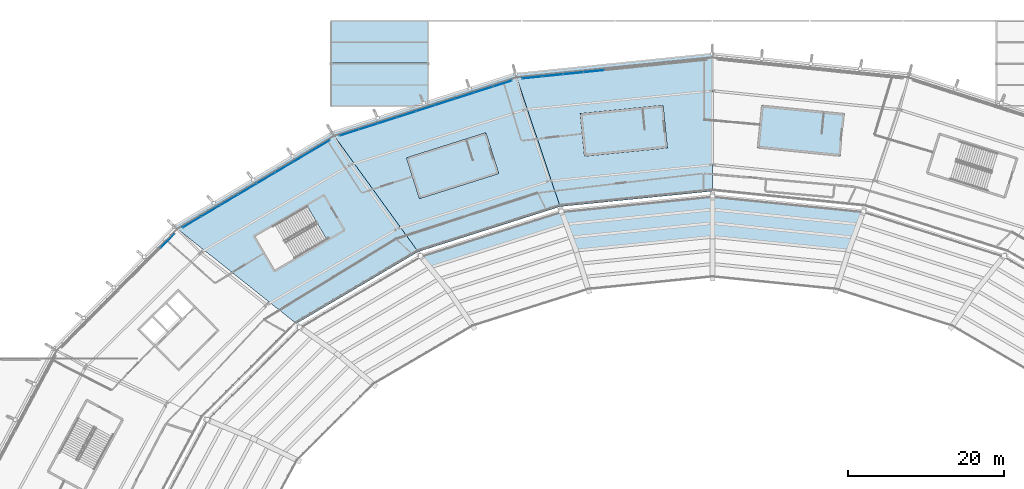
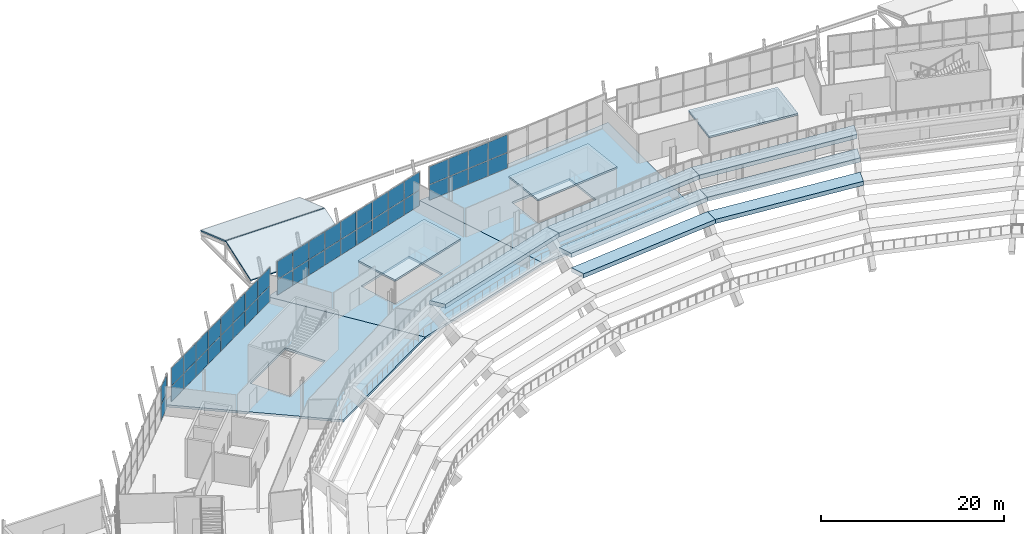
# One storey, part 70 of 126: 44 plates, 15 slabs, 5 elements without a shape of their own.
"""IFC4 building model written with IfcOpenShell, lengths in metres."""

from ifc_helpers import new_model, si_unit, direction, frame, origin, origin_2d, place, context, subcontext, project, spatial, polyline, rectangle, outline, extrude, material, layer, layer_set, type_object, element, aggregate, save


model = new_model("IFC4")

# Units and contexts
model_context = context("Model", 3, precision=1e-05, world=origin(), true_north=direction((0.0, 1.0)))
body_context = subcontext(model_context, "Body", "Model", "MODEL_VIEW")
ifc_project = project(units=[si_unit("LENGTHUNIT", "METRE"), si_unit("AREAUNIT", "SQUARE_METRE"), si_unit("VOLUMEUNIT", "CUBIC_METRE"), si_unit("PLANEANGLEUNIT", "RADIAN"), si_unit("MASSUNIT", "GRAM", prefix="KILO")], contexts=[model_context])

# Site, building, storey
site_placement = place(None, origin())
site = spatial("IfcSite", under=ifc_project, at=site_placement, CompositionType="ELEMENT")
building_placement = place(site_placement, origin())
building = spatial("IfcBuilding", under=site, at=building_placement, Name="Zlatoyarsky Gate Stadium", CompositionType="ELEMENT")
storey_placement = place(building_placement, frame((0.0, 0.0, 20.800048828125)))
storey = spatial("IfcBuildingStorey", under=building, at=storey_placement, Name="L04", CompositionType="ELEMENT", Elevation=20.800048828125)

# Curtain wall, plates
ifc_material_1 = material(Name="Thermally broken anodised aluminium curtain wall", Category="aluminium")
curtain_wall_type_1 = type_object("IfcCurtainWallType", Name="MONUMENTAL ARCHED GATE GLAZING LOWER", PredefinedType="USERDEFINED", material=ifc_material_1)
curtain_wall_1_placement = place(storey_placement, origin())
curtain_wall_1 = element("IfcCurtainWall", 1, at=curtain_wall_1_placement, inside=storey, type_object=curtain_wall_type_1, Name="Curtain wall CW-L04-06", ObjectType="ARCHED GATE GLAZING", PredefinedType="USERDEFINED")
ifc_material_2 = material(Name="Triple-glazed argon low-e architectural glass", Category="glass")
ifc_layer_1 = layer(ifc_material_2, 0.0458984375)
ifc_layer_set_1 = layer_set([ifc_layer_1], Name="Triple-glazed argon low-e architectural glass")
plate_type_1 = type_object("IfcPlateType", Name="ACOUSTIC LAMINATED GATE GLAZING PANEL 46", PredefinedType="CURTAIN_PANEL", material=ifc_layer_set_1)
plate_1_placement = place(storey_placement, frame((95.79052734375, 153.52099609375, 0.074951171875), z_axis=(0.0, 0.0, 1.0), x_axis=(-0.994856644007, -0.10129293102, 0.0)))
plate_1 = element("IfcPlate", 2, at=plate_1_placement, type_object=plate_type_1, Name="CW-AG1 panel 6.1", PredefinedType="CURTAIN_PANEL", context=body_context, shape_type="SweptSolid", body=[
    extrude(rectangle(XDim=2.58642578125, YDim=0.0458984375, at=origin_2d()), origin(), (0.0, 0.0, 1.0), 2.03759765625),
])
plate_2_placement = place(storey_placement, frame((95.79052734375, 153.52099609375, 2.1875), z_axis=(0.0, 0.0, 1.0), x_axis=(-0.994856644007, -0.10129293102, 0.0)))
plate_2 = element("IfcPlate", 3, at=plate_2_placement, type_object=plate_type_1, Name="CW-AG1 panel 6.2", PredefinedType="CURTAIN_PANEL", context=body_context, shape_type="SweptSolid", body=[
    extrude(rectangle(XDim=2.58642578125, YDim=0.0458984375, at=origin_2d()), origin(), (0.0, 0.0, 1.0), 2.357421875),
])
plate_3_placement = place(storey_placement, frame((93.142578125, 153.25146484375, 0.074951171875), z_axis=(0.0, 0.0, 1.0), x_axis=(-0.994856644007, -0.10129293102, 0.0)))
plate_3 = element("IfcPlate", 4, at=plate_3_placement, type_object=plate_type_1, Name="CW-AG1 panel 7.1", PredefinedType="CURTAIN_PANEL", context=body_context, shape_type="SweptSolid", body=[
    extrude(rectangle(XDim=2.58642578125, YDim=0.0458984375, at=origin_2d()), origin(), (0.0, 0.0, 1.0), 2.03759765625),
])
plate_4_placement = place(storey_placement, frame((93.142578125, 153.25146484375, 2.1875), z_axis=(0.0, 0.0, 1.0), x_axis=(-0.994856644007, -0.10129293102, 0.0)))
plate_4 = element("IfcPlate", 5, at=plate_4_placement, type_object=plate_type_1, Name="CW-AG1 panel 7.2", PredefinedType="CURTAIN_PANEL", context=body_context, shape_type="SweptSolid", body=[
    extrude(rectangle(XDim=2.58642578125, YDim=0.0458984375, at=origin_2d()), origin(), (0.0, 0.0, 1.0), 2.357421875),
])
plate_5_placement = place(storey_placement, frame((90.494873046875, 152.98193359375, 0.074951171875), z_axis=(0.0, 0.0, 1.0), x_axis=(-0.994856644007, -0.10129293102, 0.0)))
plate_5 = element("IfcPlate", 6, at=plate_5_placement, type_object=plate_type_1, Name="CW-AG1 panel 8.1", PredefinedType="CURTAIN_PANEL", context=body_context, shape_type="SweptSolid", body=[
    extrude(rectangle(XDim=2.58642578125, YDim=0.0458984375, at=origin_2d()), origin(), (0.0, 0.0, 1.0), 2.03759765625),
])
plate_6_placement = place(storey_placement, frame((90.494873046875, 152.98193359375, 2.1875), z_axis=(0.0, 0.0, 1.0), x_axis=(-0.994856644007, -0.10129293102, 0.0)))
plate_6 = element("IfcPlate", 7, at=plate_6_placement, type_object=plate_type_1, Name="CW-AG1 panel 8.2", PredefinedType="CURTAIN_PANEL", context=body_context, shape_type="SweptSolid", body=[
    extrude(rectangle(XDim=2.58642578125, YDim=0.0458984375, at=origin_2d()), origin(), (0.0, 0.0, 1.0), 2.357421875),
])
plate_7_placement = place(storey_placement, frame((87.86572265625, 152.714111328125, 0.074951171875), z_axis=(0.0, 0.0, 1.0), x_axis=(-0.994856644007, -0.10129293102, 0.0)))
plate_7 = element("IfcPlate", 8, at=plate_7_placement, type_object=plate_type_1, Name="CW-AG1 panel 9.1", PredefinedType="CURTAIN_PANEL", context=body_context, shape_type="SweptSolid", body=[
    extrude(rectangle(XDim=2.549072265625, YDim=0.0458984375, at=origin_2d()), origin(), (0.0, 0.0, 1.0), 2.03759765625),
])
plate_8_placement = place(storey_placement, frame((87.86572265625, 152.714111328125, 2.1875), z_axis=(0.0, 0.0, 1.0), x_axis=(-0.994856644007, -0.10129293102, 0.0)))
plate_8 = element("IfcPlate", 9, at=plate_8_placement, type_object=plate_type_1, Name="CW-AG1 panel 9.2", PredefinedType="CURTAIN_PANEL", context=body_context, shape_type="SweptSolid", body=[
    extrude(rectangle(XDim=2.549072265625, YDim=0.0458984375, at=origin_2d()), origin(), (0.0, 0.0, 1.0), 2.357421875),
])
aggregate(curtain_wall_1, [plate_1, plate_2, plate_3, plate_4, plate_5, plate_6, plate_7, plate_8])

# Roof, slabs
ifc_material_3 = material(Name="Standing-seam aluminium-zinc roofing with mineral wool insulation", Category="aluminium")
ifc_layer_2 = layer(ifc_material_3, 0.080078125)
ifc_layer_set_2 = layer_set([ifc_layer_2], Name="Standing-seam aluminium-zinc roofing with mineral wool insulation")
roof_type = type_object("IfcRoofType", Name="STADIUM BARREL VAULT ROOF ASSEMBLY", PredefinedType="BARREL_ROOF", material=ifc_layer_set_2)
roof_placement = place(storey_placement, origin())
roof = element("IfcRoof", 10, at=roof_placement, inside=storey, type_object=roof_type, Name="V2_NORTH_W barrel roof", PredefinedType="BARREL_ROOF")
ifc_material_4 = material(Name="Concrete C40/50", Category="concrete")
ifc_layer_3 = layer(ifc_material_4, 0.179931640625)
ifc_layer_set_3 = layer_set([ifc_layer_3], Name="Concrete C40/50")
slab_type_1 = type_object("IfcSlabType", Name="COMPOSITE PAVILION ROOF SLAB 180", PredefinedType="ROOF", material=ifc_layer_set_3)
slab_1_placement = place(storey_placement, frame((62.0, 149.0, 0.199951171875), z_axis=(0.0, -0.329578946053, 0.94412802009), x_axis=(1.0, 0.0, 0.0)))
slab_1 = element("IfcSlab", 11, at=slab_1_placement, type_object=slab_type_1, Name="V2_NORTH_W sloped roof slab 1", PredefinedType="ROOF", context=body_context, shape_type="SweptSolid", body=[
    extrude(outline(polyline([(0.0, 0.0), (12.5, 0.0), (12.5, 5.7520420397895435), (0.0, 5.7520420397895435), (0.0, 0.0)])), origin(), (0.0, 0.0, -1.0), 0.179931640625),
])
slab_2_placement = place(storey_placement, frame((74.5, 160.0, 0.199951171875), z_axis=(0.0, 0.329578946053, 0.94412802009), x_axis=(-1.0, 0.0, 0.0)))
slab_2 = element("IfcSlab", 12, at=slab_2_placement, type_object=slab_type_1, Name="V2_NORTH_W sloped roof slab 2", PredefinedType="ROOF", context=body_context, shape_type="SweptSolid", body=[
    extrude(outline(polyline([(0.0, 0.0), (12.5, 0.0), (12.5, 5.7520420397895435), (0.0, 5.7520420397895435), (0.0, 0.0)])), origin(), (0.0, 0.0, -1.0), 0.179931640625),
])
aggregate(roof, [slab_1, slab_2])

# Slabs
ifc_layer_4 = layer(ifc_material_4, 0.300048828125)
ifc_layer_set_4 = layer_set([ifc_layer_4], Name="Concrete C40/50")
slab_type_2 = type_object("IfcSlabType", Name="CONCRETE CONCOURSE SLAB 300", PredefinedType="FLOOR", material=ifc_layer_set_4)
slab_3_placement = place(storey_placement, frame((0.0, 0.0, -0.300048828125)))
element("IfcSlab", 13, at=slab_3_placement, inside=storey, type_object=slab_type_2, Name="L04 bowl sector 06 slab", PredefinedType="FLOOR", context=body_context, shape_type="SweptSolid", body=[
    extrude(outline(polyline([(91.433349609375, 136.120361328125), (85.6953125, 153.187744140625), (111.0, 155.76953125), (111.0, 138.10009765625), (91.433349609375, 136.120361328125)]), holes=[polyline([(102.00390625, 148.620849609375), (94.292724609375, 147.845703125), (94.792724609375, 142.870849609375), (102.50390625, 143.64599609375), (102.00390625, 148.620849609375)])]), origin(), (0.0, 0.0, 1.0), 0.300048828125),
])
slab_4_placement = place(storey_placement, frame((0.0, 0.0, -0.300048828125)))
element("IfcSlab", 14, at=slab_4_placement, inside=storey, type_object=slab_type_2, Name="L04 bowl sector 07 slab", PredefinedType="FLOOR", context=body_context, shape_type="SweptSolid", body=[
    extrude(outline(polyline([(73.199951171875, 130.316162109375), (62.115234375, 145.618408203125), (85.6953125, 153.187744140625), (91.433349609375, 136.120361328125), (73.199951171875, 130.316162109375)]), holes=[polyline([(79.39990234375, 144.562255859375), (72.0107421875, 142.2255859375), (73.518310546875, 137.458251953125), (80.90771484375, 139.794921875), (79.39990234375, 144.562255859375)])]), origin(), (0.0, 0.0, 1.0), 0.300048828125),
])
slab_5_placement = place(storey_placement, frame((0.0, 0.0, -0.300048828125)))
element("IfcSlab", 15, at=slab_5_placement, inside=storey, type_object=slab_type_2, Name="L04 bowl sector 08 slab", PredefinedType="FLOOR", context=body_context, shape_type="SweptSolid", body=[
    extrude(outline(polyline([(57.542724609375, 121.0830078125), (41.866455078125, 133.5771484375), (62.115234375, 145.618408203125), (73.199951171875, 130.316162109375), (57.542724609375, 121.0830078125)]), holes=[polyline([(58.934326171875, 136.204345703125), (52.247314453125, 132.287109375), (54.774658203125, 127.972900390625), (61.461669921875, 131.89013671875), (58.934326171875, 136.204345703125)])]), origin(), (0.0, 0.0, 1.0), 0.300048828125),
])
ifc_layer_5 = layer(ifc_material_4, 0.239990234375)
ifc_layer_set_5 = layer_set([ifc_layer_5], Name="Concrete C40/50")
slab_type_3 = type_object("IfcSlabType", Name="CONCRETE CORE TOP CAP SLAB 240", PredefinedType="ROOF", material=ifc_layer_set_5)
slab_6_placement = place(storey_placement, frame((0.0, 0.0, 3.199951171875)))
element("IfcSlab", 16, at=slab_6_placement, inside=storey, type_object=slab_type_3, Name="ST-04 stair headhouse roof cap", PredefinedType="ROOF", context=body_context, shape_type="SweptSolid", body=[
    extrude(outline(polyline([(104.665283203125, 149.1396484375), (94.01904296875, 148.069580078125), (94.569091796875, 142.59716796875), (105.21533203125, 143.667236328125), (104.665283203125, 149.1396484375)])), origin(), (0.0, 0.0, 1.0), 0.239990234375),
])
slab_7_placement = place(storey_placement, frame((0.0, 0.0, 3.199951171875)))
element("IfcSlab", 17, at=slab_7_placement, inside=storey, type_object=slab_type_3, Name="ST-14 stair headhouse roof cap", PredefinedType="ROOF", context=body_context, shape_type="SweptSolid", body=[
    extrude(outline(polyline([(81.89892578125, 145.61474609375), (71.697021484375, 142.388427734375), (73.355224609375, 137.14453125), (83.557373046875, 140.37060546875), (81.89892578125, 145.61474609375)])), origin(), (0.0, 0.0, 1.0), 0.239990234375),
])
slab_8_placement = place(storey_placement, frame((0.0, 0.0, 3.199951171875)))
element("IfcSlab", 18, at=slab_8_placement, inside=storey, type_object=slab_type_3, Name="ST-17 stair headhouse roof cap", PredefinedType="ROOF", context=body_context, shape_type="SweptSolid", body=[
    extrude(outline(polyline([(127.98095703125, 148.069580078125), (117.334716796875, 149.1396484375), (116.78466796875, 143.667236328125), (127.430908203125, 142.59716796875), (127.98095703125, 148.069580078125)])), origin(), (0.0, 0.0, 1.0), 0.239990234375),
])
ifc_material_5 = material(Name="Precast concrete C40/50", Category="concrete")
ifc_layer_6 = layer(ifc_material_5, 0.56005859375)
ifc_layer_set_6 = layer_set([ifc_layer_6], Name="Precast concrete C40/50")
slab_type_4 = type_object("IfcSlabType", Name="PRECAST UPPER SEATING TIER UNIT 560", PredefinedType="USERDEFINED", material=ifc_layer_set_6)
slab_9_placement = place(storey_placement, frame((0.0, 0.0, 0.739990234375)))
element("IfcSlab", 19, at=slab_9_placement, inside=storey, type_object=slab_type_4, Name="Upper seating tier sector 05 row 4", ObjectType="SEATING TIER", PredefinedType="USERDEFINED", context=body_context, shape_type="SweptSolid", body=[
    extrude(outline(polyline([(128.664306640625, 130.469482421875), (129.24658203125, 132.159912109375), (111.0, 134.0), (111.0, 132.25), (128.664306640625, 130.469482421875)])), origin(), (0.0, 0.0, 1.0), 0.56005859375),
])
slab_10_placement = place(storey_placement, frame((0.0, 0.0, 2.639892578125)))
element("IfcSlab", 20, at=slab_10_placement, inside=storey, type_object=slab_type_4, Name="Upper seating tier sector 05 row 5", ObjectType="SEATING TIER", PredefinedType="USERDEFINED", context=body_context, shape_type="SweptSolid", body=[
    extrude(outline(polyline([(129.24658203125, 132.159912109375), (129.8291015625, 133.850341796875), (111.0, 135.75), (111.0, 134.0), (129.24658203125, 132.159912109375)])), origin(), (0.0, 0.0, 1.0), 0.56005859375),
])
slab_11_placement = place(storey_placement, frame((0.0, 0.0, 4.5400390625)))
element("IfcSlab", 21, at=slab_11_placement, inside=storey, type_object=slab_type_4, Name="Upper seating tier sector 05 row 6", ObjectType="SEATING TIER", PredefinedType="USERDEFINED", context=body_context, shape_type="SweptSolid", body=[
    extrude(outline(polyline([(129.8291015625, 133.850341796875), (130.411376953125, 135.540771484375), (111.0, 137.5), (111.0, 135.75), (129.8291015625, 133.850341796875)])), origin(), (0.0, 0.0, 1.0), 0.559814453125),
])
slab_12_placement = place(storey_placement, frame((0.0, 0.0, 0.739990234375)))
element("IfcSlab", 22, at=slab_12_placement, inside=storey, type_object=slab_type_4, Name="Upper seating tier sector 06 row 4", ObjectType="SEATING TIER", PredefinedType="USERDEFINED", context=body_context, shape_type="SweptSolid", body=[
    extrude(outline(polyline([(111.0, 132.25), (111.0, 134.0), (92.75341796875, 132.159912109375), (93.335693359375, 130.469482421875), (111.0, 132.25)])), origin(), (0.0, 0.0, 1.0), 0.56005859375),
])
slab_13_placement = place(storey_placement, frame((0.0, 0.0, 2.639892578125)))
element("IfcSlab", 23, at=slab_13_placement, inside=storey, type_object=slab_type_4, Name="Upper seating tier sector 06 row 5", ObjectType="SEATING TIER", PredefinedType="USERDEFINED", context=body_context, shape_type="SweptSolid", body=[
    extrude(outline(polyline([(111.0, 134.0), (111.0, 135.75), (92.1708984375, 133.850341796875), (92.75341796875, 132.159912109375), (111.0, 134.0)])), origin(), (0.0, 0.0, 1.0), 0.56005859375),
])
slab_14_placement = place(storey_placement, frame((0.0, 0.0, 4.5400390625)))
element("IfcSlab", 24, at=slab_14_placement, inside=storey, type_object=slab_type_4, Name="Upper seating tier sector 06 row 6", ObjectType="SEATING TIER", PredefinedType="USERDEFINED", context=body_context, shape_type="SweptSolid", body=[
    extrude(outline(polyline([(111.0, 135.75), (111.0, 137.5), (91.588623046875, 135.540771484375), (92.1708984375, 133.850341796875), (111.0, 135.75)])), origin(), (0.0, 0.0, 1.0), 0.559814453125),
])
slab_15_placement = place(storey_placement, frame((0.0, 0.0, 4.5400390625)))
element("IfcSlab", 25, at=slab_15_placement, inside=storey, type_object=slab_type_4, Name="Upper seating tier sector 07 row 6", ObjectType="SEATING TIER", PredefinedType="USERDEFINED", context=body_context, shape_type="SweptSolid", body=[
    extrude(outline(polyline([(92.1708984375, 133.850341796875), (91.588623046875, 135.540771484375), (73.5, 129.79638671875), (74.625, 128.281005859375), (92.1708984375, 133.850341796875)])), origin(), (0.0, 0.0, 1.0), 0.559814453125),
])

# Curtain wall, plates
curtain_wall_type_2 = type_object("IfcCurtainWallType", Name="UNITISED MEDIA RING GLAZING L04", PredefinedType="USERDEFINED", material=ifc_material_1)
curtain_wall_2_placement = place(storey_placement, origin())
curtain_wall_2 = element("IfcCurtainWall", 26, at=curtain_wall_2_placement, inside=storey, type_object=curtain_wall_type_2, Name="Curtain wall CW-L04-07", ObjectType="UNITISED GLAZING", PredefinedType="USERDEFINED")
ifc_layer_7 = layer(ifc_material_2, 0.0380859375)
ifc_layer_set_7 = layer_set([ifc_layer_7], Name="Triple-glazed argon low-e architectural glass")
plate_type_2 = type_object("IfcPlateType", Name="TRIPLE GLAZED LOW E CURTAIN PANEL 38", PredefinedType="CURTAIN_PANEL", material=ifc_layer_set_7)
plate_9_placement = place(storey_placement, frame((84.01025390625, 151.913818359375, 0.06494140625), z_axis=(0.0, 0.0, 1.0), x_axis=(-0.952331297298, -0.305065730928, 0.0)))
plate_9 = element("IfcPlate", 27, at=plate_9_placement, type_object=plate_type_2, Name="CW-UG4 panel 1.1", PredefinedType="CURTAIN_PANEL", context=body_context, shape_type="SweptSolid", body=[
    extrude(rectangle(XDim=2.489501953125, YDim=0.0380859375, at=origin_2d()), origin(), (0.0, 0.0, 1.0), 2.052490234375),
])
plate_10_placement = place(storey_placement, frame((84.01025390625, 151.913818359375, 2.182373046875), z_axis=(0.0, 0.0, 1.0), x_axis=(-0.952331297298, -0.305065730928, 0.0)))
plate_10 = element("IfcPlate", 28, at=plate_10_placement, type_object=plate_type_2, Name="CW-UG4 panel 1.2", PredefinedType="CURTAIN_PANEL", context=body_context, shape_type="SweptSolid", body=[
    extrude(rectangle(XDim=2.489501953125, YDim=0.0380859375, at=origin_2d()), origin(), (0.0, 0.0, 1.0), 2.37255859375),
])
plate_11_placement = place(storey_placement, frame((81.56201171875, 151.129638671875, 0.06494140625), z_axis=(0.0, 0.0, 1.0), x_axis=(-0.952331297298, -0.305065730928, 0.0)))
plate_11 = element("IfcPlate", 29, at=plate_11_placement, type_object=plate_type_2, Name="CW-UG4 panel 2.1", PredefinedType="CURTAIN_PANEL", context=body_context, shape_type="SweptSolid", body=[
    extrude(rectangle(XDim=2.52197265625, YDim=0.0380859375, at=origin_2d()), origin(), (0.0, 0.0, 1.0), 2.052490234375),
])
plate_12_placement = place(storey_placement, frame((81.56201171875, 151.129638671875, 2.182373046875), z_axis=(0.0, 0.0, 1.0), x_axis=(-0.952331297298, -0.305065730928, 0.0)))
plate_12 = element("IfcPlate", 30, at=plate_12_placement, type_object=plate_type_2, Name="CW-UG4 panel 2.2", PredefinedType="CURTAIN_PANEL", context=body_context, shape_type="SweptSolid", body=[
    extrude(rectangle(XDim=2.52197265625, YDim=0.0380859375, at=origin_2d()), origin(), (0.0, 0.0, 1.0), 2.37255859375),
])
plate_13_placement = place(storey_placement, frame((79.09814453125, 150.34033203125, 0.06494140625), z_axis=(0.0, 0.0, 1.0), x_axis=(-0.952331297298, -0.305065730928, 0.0)))
plate_13 = element("IfcPlate", 31, at=plate_13_placement, type_object=plate_type_2, Name="CW-UG4 panel 3.1", PredefinedType="CURTAIN_PANEL", context=body_context, shape_type="SweptSolid", body=[
    extrude(rectangle(XDim=2.52197265625, YDim=0.0380859375, at=origin_2d()), origin(), (0.0, 0.0, 1.0), 2.052490234375),
])
plate_14_placement = place(storey_placement, frame((79.09814453125, 150.34033203125, 2.182373046875), z_axis=(0.0, 0.0, 1.0), x_axis=(-0.952331297298, -0.305065730928, 0.0)))
plate_14 = element("IfcPlate", 32, at=plate_14_placement, type_object=plate_type_2, Name="CW-UG4 panel 3.2", PredefinedType="CURTAIN_PANEL", context=body_context, shape_type="SweptSolid", body=[
    extrude(rectangle(XDim=2.52197265625, YDim=0.0380859375, at=origin_2d()), origin(), (0.0, 0.0, 1.0), 2.37255859375),
])
plate_15_placement = place(storey_placement, frame((76.634521484375, 149.55126953125, 0.06494140625), z_axis=(0.0, 0.0, 1.0), x_axis=(-0.952331297298, -0.305065730928, 0.0)))
plate_15 = element("IfcPlate", 33, at=plate_15_placement, type_object=plate_type_2, Name="CW-UG4 panel 4.1", PredefinedType="CURTAIN_PANEL", context=body_context, shape_type="SweptSolid", body=[
    extrude(rectangle(XDim=2.52197265625, YDim=0.0380859375, at=origin_2d()), origin(), (0.0, 0.0, 1.0), 2.052490234375),
])
plate_16_placement = place(storey_placement, frame((76.634521484375, 149.55126953125, 2.182373046875), z_axis=(0.0, 0.0, 1.0), x_axis=(-0.952331297298, -0.305065730928, 0.0)))
plate_16 = element("IfcPlate", 34, at=plate_16_placement, type_object=plate_type_2, Name="CW-UG4 panel 4.2", PredefinedType="CURTAIN_PANEL", context=body_context, shape_type="SweptSolid", body=[
    extrude(rectangle(XDim=2.52197265625, YDim=0.0380859375, at=origin_2d()), origin(), (0.0, 0.0, 1.0), 2.37255859375),
])
plate_17_placement = place(storey_placement, frame((74.1708984375, 148.761962890625, 0.06494140625), z_axis=(0.0, 0.0, 1.0), x_axis=(-0.952331297298, -0.305065730928, 0.0)))
plate_17 = element("IfcPlate", 35, at=plate_17_placement, type_object=plate_type_2, Name="CW-UG4 panel 5.1", PredefinedType="CURTAIN_PANEL", context=body_context, shape_type="SweptSolid", body=[
    extrude(rectangle(XDim=2.52197265625, YDim=0.0380859375, at=origin_2d()), origin(), (0.0, 0.0, 1.0), 2.052490234375),
])
plate_18_placement = place(storey_placement, frame((74.1708984375, 148.761962890625, 2.182373046875), z_axis=(0.0, 0.0, 1.0), x_axis=(-0.952331297298, -0.305065730928, 0.0)))
plate_18 = element("IfcPlate", 36, at=plate_18_placement, type_object=plate_type_2, Name="CW-UG4 panel 5.2", PredefinedType="CURTAIN_PANEL", context=body_context, shape_type="SweptSolid", body=[
    extrude(rectangle(XDim=2.52197265625, YDim=0.0380859375, at=origin_2d()), origin(), (0.0, 0.0, 1.0), 2.37255859375),
])
plate_19_placement = place(storey_placement, frame((71.70703125, 147.97265625, 0.06494140625), z_axis=(0.0, 0.0, 1.0), x_axis=(-0.952331297298, -0.305065730928, 0.0)))
plate_19 = element("IfcPlate", 37, at=plate_19_placement, type_object=plate_type_2, Name="CW-UG4 panel 6.1", PredefinedType="CURTAIN_PANEL", context=body_context, shape_type="SweptSolid", body=[
    extrude(rectangle(XDim=2.52197265625, YDim=0.0380859375, at=origin_2d()), origin(), (0.0, 0.0, 1.0), 2.052490234375),
])
plate_20_placement = place(storey_placement, frame((71.70703125, 147.97265625, 2.182373046875), z_axis=(0.0, 0.0, 1.0), x_axis=(-0.952331297298, -0.305065730928, 0.0)))
plate_20 = element("IfcPlate", 38, at=plate_20_placement, type_object=plate_type_2, Name="CW-UG4 panel 6.2", PredefinedType="CURTAIN_PANEL", context=body_context, shape_type="SweptSolid", body=[
    extrude(rectangle(XDim=2.52197265625, YDim=0.0380859375, at=origin_2d()), origin(), (0.0, 0.0, 1.0), 2.37255859375),
])
plate_21_placement = place(storey_placement, frame((69.243408203125, 147.18359375, 0.06494140625), z_axis=(0.0, 0.0, 1.0), x_axis=(-0.952331297298, -0.305065730928, 0.0)))
plate_21 = element("IfcPlate", 39, at=plate_21_placement, type_object=plate_type_2, Name="CW-UG4 panel 7.1", PredefinedType="CURTAIN_PANEL", context=body_context, shape_type="SweptSolid", body=[
    extrude(rectangle(XDim=2.52197265625, YDim=0.0380859375, at=origin_2d()), origin(), (0.0, 0.0, 1.0), 2.052490234375),
])
plate_22_placement = place(storey_placement, frame((69.243408203125, 147.18359375, 2.182373046875), z_axis=(0.0, 0.0, 1.0), x_axis=(-0.952331297298, -0.305065730928, 0.0)))
plate_22 = element("IfcPlate", 40, at=plate_22_placement, type_object=plate_type_2, Name="CW-UG4 panel 7.2", PredefinedType="CURTAIN_PANEL", context=body_context, shape_type="SweptSolid", body=[
    extrude(rectangle(XDim=2.52197265625, YDim=0.0380859375, at=origin_2d()), origin(), (0.0, 0.0, 1.0), 2.37255859375),
])
plate_23_placement = place(storey_placement, frame((66.77978515625, 146.394287109375, 0.06494140625), z_axis=(0.0, 0.0, 1.0), x_axis=(-0.952331297298, -0.305065730928, 0.0)))
plate_23 = element("IfcPlate", 41, at=plate_23_placement, type_object=plate_type_2, Name="CW-UG4 panel 8.1", PredefinedType="CURTAIN_PANEL", context=body_context, shape_type="SweptSolid", body=[
    extrude(rectangle(XDim=2.52197265625, YDim=0.0380859375, at=origin_2d()), origin(), (0.0, 0.0, 1.0), 2.052490234375),
])
plate_24_placement = place(storey_placement, frame((66.77978515625, 146.394287109375, 2.182373046875), z_axis=(0.0, 0.0, 1.0), x_axis=(-0.952331297298, -0.305065730928, 0.0)))
plate_24 = element("IfcPlate", 42, at=plate_24_placement, type_object=plate_type_2, Name="CW-UG4 panel 8.2", PredefinedType="CURTAIN_PANEL", context=body_context, shape_type="SweptSolid", body=[
    extrude(rectangle(XDim=2.52197265625, YDim=0.0380859375, at=origin_2d()), origin(), (0.0, 0.0, 1.0), 2.37255859375),
])
plate_25_placement = place(storey_placement, frame((64.33154296875, 145.610107421875, 0.06494140625), z_axis=(0.0, 0.0, 1.0), x_axis=(-0.952331297298, -0.305065730928, 0.0)))
plate_25 = element("IfcPlate", 43, at=plate_25_placement, type_object=plate_type_2, Name="CW-UG4 panel 9.1", PredefinedType="CURTAIN_PANEL", context=body_context, shape_type="SweptSolid", body=[
    extrude(rectangle(XDim=2.489501953125, YDim=0.0380859375, at=origin_2d()), origin(), (0.0, 0.0, 1.0), 2.052490234375),
])
plate_26_placement = place(storey_placement, frame((64.33154296875, 145.610107421875, 2.182373046875), z_axis=(0.0, 0.0, 1.0), x_axis=(-0.952331297298, -0.305065730928, 0.0)))
plate_26 = element("IfcPlate", 44, at=plate_26_placement, type_object=plate_type_2, Name="CW-UG4 panel 9.2", PredefinedType="CURTAIN_PANEL", context=body_context, shape_type="SweptSolid", body=[
    extrude(rectangle(XDim=2.489501953125, YDim=0.0380859375, at=origin_2d()), origin(), (0.0, 0.0, 1.0), 2.37255859375),
])
aggregate(curtain_wall_2, [plate_9, plate_10, plate_11, plate_12, plate_13, plate_14, plate_15, plate_16, plate_17, plate_18, plate_19, plate_20, plate_21, plate_22, plate_23, plate_24, plate_25, plate_26])

curtain_wall_3_placement = place(storey_placement, origin())
curtain_wall_3 = element("IfcCurtainWall", 45, at=curtain_wall_3_placement, inside=storey, type_object=curtain_wall_type_2, Name="Curtain wall CW-L04-08", ObjectType="UNITISED GLAZING", PredefinedType="USERDEFINED")
plate_27_placement = place(storey_placement, frame((60.70556640625, 143.968017578125, 0.06494140625), z_axis=(0.0, 0.0, 1.0), x_axis=(-0.859978374713, -0.510330476285, 0.0)))
plate_27 = element("IfcPlate", 46, at=plate_27_placement, type_object=plate_type_2, Name="CW-UG4 panel 1.1", PredefinedType="CURTAIN_PANEL", context=body_context, shape_type="SweptSolid", body=[
    extrude(rectangle(XDim=2.662109375, YDim=0.0380859375, at=origin_2d()), origin(), (0.0, 0.0, 1.0), 2.052490234375),
])
plate_28_placement = place(storey_placement, frame((60.70556640625, 143.968017578125, 2.182373046875), z_axis=(0.0, 0.0, 1.0), x_axis=(-0.859978374713, -0.510330476285, 0.0)))
plate_28 = element("IfcPlate", 47, at=plate_28_placement, type_object=plate_type_2, Name="CW-UG4 panel 1.2", PredefinedType="CURTAIN_PANEL", context=body_context, shape_type="SweptSolid", body=[
    extrude(rectangle(XDim=2.662109375, YDim=0.0380859375, at=origin_2d()), origin(), (0.0, 0.0, 1.0), 2.37255859375),
])
plate_29_placement = place(storey_placement, frame((58.346435546875, 142.568115234375, 0.06494140625), z_axis=(0.0, 0.0, 1.0), x_axis=(-0.859978374713, -0.510330476285, 0.0)))
plate_29 = element("IfcPlate", 48, at=plate_29_placement, type_object=plate_type_2, Name="CW-UG4 panel 2.1", PredefinedType="CURTAIN_PANEL", context=body_context, shape_type="SweptSolid", body=[
    extrude(rectangle(XDim=2.694580078125, YDim=0.0380859375, at=origin_2d()), origin(), (0.0, 0.0, 1.0), 2.052490234375),
])
plate_30_placement = place(storey_placement, frame((58.346435546875, 142.568115234375, 2.182373046875), z_axis=(0.0, 0.0, 1.0), x_axis=(-0.859978374713, -0.510330476285, 0.0)))
plate_30 = element("IfcPlate", 49, at=plate_30_placement, type_object=plate_type_2, Name="CW-UG4 panel 2.2", PredefinedType="CURTAIN_PANEL", context=body_context, shape_type="SweptSolid", body=[
    extrude(rectangle(XDim=2.694580078125, YDim=0.0380859375, at=origin_2d()), origin(), (0.0, 0.0, 1.0), 2.37255859375),
])
plate_31_placement = place(storey_placement, frame((55.97314453125, 141.15966796875, 0.06494140625), z_axis=(0.0, 0.0, 1.0), x_axis=(-0.859978374713, -0.510330476285, 0.0)))
plate_31 = element("IfcPlate", 50, at=plate_31_placement, type_object=plate_type_2, Name="CW-UG4 panel 3.1", PredefinedType="CURTAIN_PANEL", context=body_context, shape_type="SweptSolid", body=[
    extrude(rectangle(XDim=2.694580078125, YDim=0.0380859375, at=origin_2d()), origin(), (0.0, 0.0, 1.0), 2.052490234375),
])
plate_32_placement = place(storey_placement, frame((55.97314453125, 141.15966796875, 2.182373046875), z_axis=(0.0, 0.0, 1.0), x_axis=(-0.859978374713, -0.510330476285, 0.0)))
plate_32 = element("IfcPlate", 51, at=plate_32_placement, type_object=plate_type_2, Name="CW-UG4 panel 3.2", PredefinedType="CURTAIN_PANEL", context=body_context, shape_type="SweptSolid", body=[
    extrude(rectangle(XDim=2.694580078125, YDim=0.0380859375, at=origin_2d()), origin(), (0.0, 0.0, 1.0), 2.37255859375),
])
plate_33_placement = place(storey_placement, frame((53.599853515625, 139.75146484375, 0.06494140625), z_axis=(0.0, 0.0, 1.0), x_axis=(-0.859978374713, -0.510330476285, 0.0)))
plate_33 = element("IfcPlate", 52, at=plate_33_placement, type_object=plate_type_2, Name="CW-UG4 panel 4.1", PredefinedType="CURTAIN_PANEL", context=body_context, shape_type="SweptSolid", body=[
    extrude(rectangle(XDim=2.694580078125, YDim=0.0380859375, at=origin_2d()), origin(), (0.0, 0.0, 1.0), 2.052490234375),
])
plate_34_placement = place(storey_placement, frame((53.599853515625, 139.75146484375, 2.182373046875), z_axis=(0.0, 0.0, 1.0), x_axis=(-0.859978374713, -0.510330476285, 0.0)))
plate_34 = element("IfcPlate", 53, at=plate_34_placement, type_object=plate_type_2, Name="CW-UG4 panel 4.2", PredefinedType="CURTAIN_PANEL", context=body_context, shape_type="SweptSolid", body=[
    extrude(rectangle(XDim=2.694580078125, YDim=0.0380859375, at=origin_2d()), origin(), (0.0, 0.0, 1.0), 2.37255859375),
])
plate_35_placement = place(storey_placement, frame((51.226806640625, 138.343017578125, 0.06494140625), z_axis=(0.0, 0.0, 1.0), x_axis=(-0.859978374713, -0.510330476285, 0.0)))
plate_35 = element("IfcPlate", 54, at=plate_35_placement, type_object=plate_type_2, Name="CW-UG4 panel 5.1", PredefinedType="CURTAIN_PANEL", context=body_context, shape_type="SweptSolid", body=[
    extrude(rectangle(XDim=2.694580078125, YDim=0.0380859375, at=origin_2d()), origin(), (0.0, 0.0, 1.0), 2.052490234375),
])
plate_36_placement = place(storey_placement, frame((51.226806640625, 138.343017578125, 2.182373046875), z_axis=(0.0, 0.0, 1.0), x_axis=(-0.859978374713, -0.510330476285, 0.0)))
plate_36 = element("IfcPlate", 55, at=plate_36_placement, type_object=plate_type_2, Name="CW-UG4 panel 5.2", PredefinedType="CURTAIN_PANEL", context=body_context, shape_type="SweptSolid", body=[
    extrude(rectangle(XDim=2.694580078125, YDim=0.0380859375, at=origin_2d()), origin(), (0.0, 0.0, 1.0), 2.37255859375),
])
plate_37_placement = place(storey_placement, frame((48.853515625, 136.934814453125, 0.06494140625), z_axis=(0.0, 0.0, 1.0), x_axis=(-0.859978374713, -0.510330476285, 0.0)))
plate_37 = element("IfcPlate", 56, at=plate_37_placement, type_object=plate_type_2, Name="CW-UG4 panel 6.1", PredefinedType="CURTAIN_PANEL", context=body_context, shape_type="SweptSolid", body=[
    extrude(rectangle(XDim=2.694580078125, YDim=0.0380859375, at=origin_2d()), origin(), (0.0, 0.0, 1.0), 2.052490234375),
])
plate_38_placement = place(storey_placement, frame((48.853515625, 136.934814453125, 2.182373046875), z_axis=(0.0, 0.0, 1.0), x_axis=(-0.859978374713, -0.510330476285, 0.0)))
plate_38 = element("IfcPlate", 57, at=plate_38_placement, type_object=plate_type_2, Name="CW-UG4 panel 6.2", PredefinedType="CURTAIN_PANEL", context=body_context, shape_type="SweptSolid", body=[
    extrude(rectangle(XDim=2.694580078125, YDim=0.0380859375, at=origin_2d()), origin(), (0.0, 0.0, 1.0), 2.37255859375),
])
plate_39_placement = place(storey_placement, frame((46.480224609375, 135.5263671875, 0.06494140625), z_axis=(0.0, 0.0, 1.0), x_axis=(-0.859978374713, -0.510330476285, 0.0)))
plate_39 = element("IfcPlate", 58, at=plate_39_placement, type_object=plate_type_2, Name="CW-UG4 panel 7.1", PredefinedType="CURTAIN_PANEL", context=body_context, shape_type="SweptSolid", body=[
    extrude(rectangle(XDim=2.694580078125, YDim=0.0380859375, at=origin_2d()), origin(), (0.0, 0.0, 1.0), 2.052490234375),
])
plate_40_placement = place(storey_placement, frame((46.480224609375, 135.5263671875, 2.182373046875), z_axis=(0.0, 0.0, 1.0), x_axis=(-0.859978374713, -0.510330476285, 0.0)))
plate_40 = element("IfcPlate", 59, at=plate_40_placement, type_object=plate_type_2, Name="CW-UG4 panel 7.2", PredefinedType="CURTAIN_PANEL", context=body_context, shape_type="SweptSolid", body=[
    extrude(rectangle(XDim=2.694580078125, YDim=0.0380859375, at=origin_2d()), origin(), (0.0, 0.0, 1.0), 2.37255859375),
])
plate_41_placement = place(storey_placement, frame((44.12109375, 134.12646484375, 0.06494140625), z_axis=(0.0, 0.0, 1.0), x_axis=(-0.859978374713, -0.510330476285, 0.0)))
plate_41 = element("IfcPlate", 60, at=plate_41_placement, type_object=plate_type_2, Name="CW-UG4 panel 8.1", PredefinedType="CURTAIN_PANEL", context=body_context, shape_type="SweptSolid", body=[
    extrude(rectangle(XDim=2.662109375, YDim=0.0380859375, at=origin_2d()), origin(), (0.0, 0.0, 1.0), 2.052490234375),
])
plate_42_placement = place(storey_placement, frame((44.12109375, 134.12646484375, 2.182373046875), z_axis=(0.0, 0.0, 1.0), x_axis=(-0.859978374713, -0.510330476285, 0.0)))
plate_42 = element("IfcPlate", 61, at=plate_42_placement, type_object=plate_type_2, Name="CW-UG4 panel 8.2", PredefinedType="CURTAIN_PANEL", context=body_context, shape_type="SweptSolid", body=[
    extrude(rectangle(XDim=2.662109375, YDim=0.0380859375, at=origin_2d()), origin(), (0.0, 0.0, 1.0), 2.37255859375),
])
aggregate(curtain_wall_3, [plate_27, plate_28, plate_29, plate_30, plate_31, plate_32, plate_33, plate_34, plate_35, plate_36, plate_37, plate_38, plate_39, plate_40, plate_41, plate_42])

curtain_wall_4_placement = place(storey_placement, origin())
curtain_wall_4 = element("IfcCurtainWall", 62, at=curtain_wall_4_placement, inside=storey, type_object=curtain_wall_type_2, Name="Curtain wall CW-L04-09", ObjectType="UNITISED GLAZING", PredefinedType="USERDEFINED")
plate_43_placement = place(storey_placement, frame((40.9853515625, 131.6953125, 0.06494140625), z_axis=(0.0, 0.0, 1.0), x_axis=(-0.704332181269, -0.709870536386, 0.0)))
plate_43 = element("IfcPlate", 63, at=plate_43_placement, type_object=plate_type_2, Name="CW-UG4 panel 1.1", PredefinedType="CURTAIN_PANEL", context=body_context, shape_type="SweptSolid", body=[
    extrude(rectangle(XDim=2.477783203125, YDim=0.0380859375, at=origin_2d()), origin(), (0.0, 0.0, 1.0), 2.052490234375),
])
plate_44_placement = place(storey_placement, frame((40.9853515625, 131.6953125, 2.182373046875), z_axis=(0.0, 0.0, 1.0), x_axis=(-0.704332181269, -0.709870536386, 0.0)))
plate_44 = element("IfcPlate", 64, at=plate_44_placement, type_object=plate_type_2, Name="CW-UG4 panel 1.2", PredefinedType="CURTAIN_PANEL", context=body_context, shape_type="SweptSolid", body=[
    extrude(rectangle(XDim=2.477783203125, YDim=0.0380859375, at=origin_2d()), origin(), (0.0, 0.0, 1.0), 2.37255859375),
])
aggregate(curtain_wall_4, [plate_43, plate_44])

save(model, "model.ifc")
